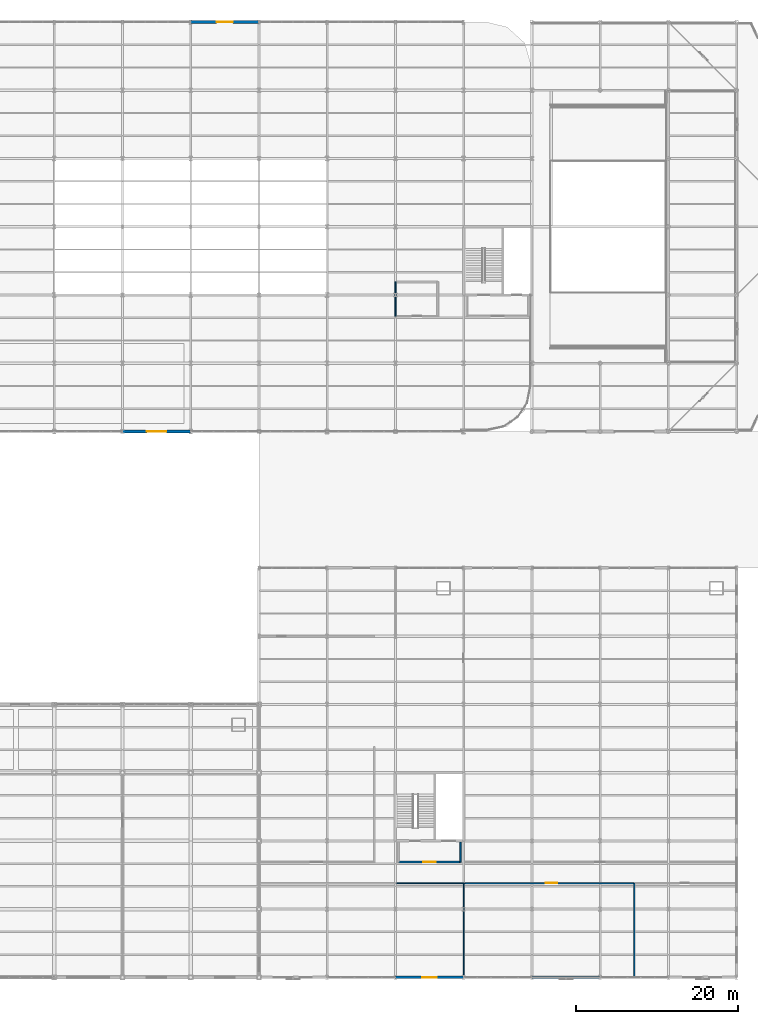
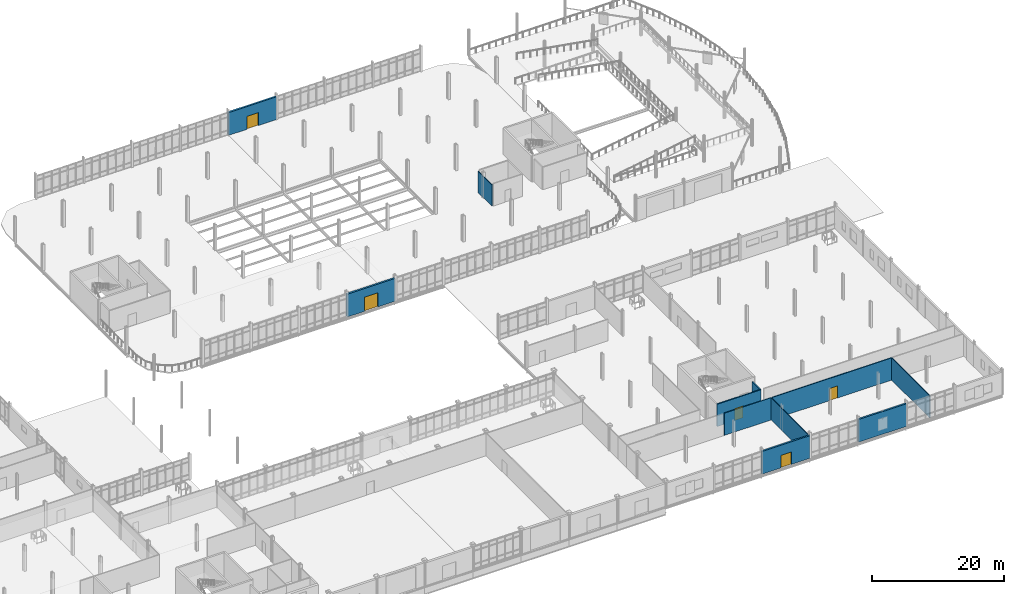
# One storey, part 128 of 145: 11 walls, 5 doors, 5 openings.
"""IFC4 building model written with IfcOpenShell, lengths in metres."""

from ifc_helpers import new_model, si_unit, direction, frame, frame_2d, origin, place, context, subcontext, project, spatial, rectangle, extrude, material, layer, layer_set, type_object, element, fill, save


model = new_model("IFC4")

# Units and contexts
model_context = context("Model", 3, precision=1e-05, world=origin(), true_north=direction((0.0, 1.0)))
body_context = subcontext(model_context, "Body", "Model", "MODEL_VIEW")
ifc_project = project(units=[si_unit("LENGTHUNIT", "METRE"), si_unit("AREAUNIT", "SQUARE_METRE"), si_unit("VOLUMEUNIT", "CUBIC_METRE"), si_unit("PLANEANGLEUNIT", "RADIAN"), si_unit("MASSUNIT", "GRAM", prefix="KILO")], contexts=[model_context])

# Site, building, storey
site_placement = place(None, origin())
site = spatial("IfcSite", under=ifc_project, at=site_placement, CompositionType="ELEMENT")
building_placement = place(site_placement, origin())
building = spatial("IfcBuilding", under=site, at=building_placement, Name="Qalvenar Corner Mobility Hub", CompositionType="ELEMENT")
storey_placement = place(building_placement, origin())
storey = spatial("IfcBuildingStorey", under=building, at=storey_placement, Name="L00", CompositionType="ELEMENT", Elevation=0.0)

# Wall, opening, door
ifc_material_1 = material(Name="Lahori Fired Clay Brick Masonry", Category="masonry")
ifc_layer_1 = layer(ifc_material_1, 0.300048828125)
ifc_layer_set_1 = layer_set([ifc_layer_1], Name="Lahori Fired Clay Brick Masonry")
wall_type_1 = type_object("IfcWallType", Name="WL-EXT-BRK300", PredefinedType="STANDARD", material=ifc_layer_set_1)
wall_1_placement = place(storey_placement, frame((126.0, 0.0, 0.0), z_axis=(0.0, 0.0, 1.0), x_axis=(1.0, 0.0, 0.0)))
wall_1 = element("IfcWall", 1, at=wall_1_placement, inside=storey, type_object=wall_type_1, Name="Exterior Facade Wall EW-V6-L00-S2", PredefinedType="STANDARD", context=body_context, shape_type="SweptSolid", body=[
    extrude(rectangle(XDim=8.39990234375, YDim=0.300048828125, at=frame_2d((4.199951171875, 0.0))), origin(), (0.0, 0.0, 1.0), 4.179931640625),
])
opening_1_placement = place(wall_1_placement, frame((3.300048828125, 0.0, 0.0)))
opening_1 = element("IfcOpeningElement", 2, at=opening_1_placement, cuts=wall_1, Name="Opening DR-061", PredefinedType="OPENING", context=body_context, shape_type="SweptSolid", body=[
    extrude(rectangle(XDim=1.800048828125, YDim=2.300048828125, at=frame_2d((0.89990234375, 1.14990234375))), frame((0.0, 0.16015625, 0.0), z_axis=(0.0, -1.0, 0.0), x_axis=(1.0, 0.0, 0.0)), (0.0, 0.0, 1.0), 0.320068359375),
])
ifc_material_2 = material(Name="Insulated Steel Pedestrian Exit Door", Category="steel")
door_type_1 = type_object("IfcDoorType", Name="DR-EXT-ESC180", OperationType="DOUBLE_DOOR_SINGLE_SWING", PredefinedType="DOOR", material=ifc_material_2)
door_1_placement = place(opening_1_placement, origin())
door_1 = element("IfcDoor", 3, at=door_1_placement, inside=storey, type_object=door_type_1, Name="DR-061 Workshop South Pedestrian Exit Door E11", OperationType="DOUBLE_DOOR_SINGLE_SWING", OverallHeight=2.300048828125, OverallWidth=1.800048828125, PredefinedType="DOOR", context=body_context, shape_type="SweptSolid", body=[
    extrude(rectangle(XDim=1.800048828125, YDim=2.300048828125, at=frame_2d((0.89990234375, 1.14990234375))), frame((0.0, 0.02490234375, 0.0), z_axis=(0.0, -1.0, 0.0), x_axis=(1.0, 0.0, 0.0)), (0.0, 0.0, 1.0), 0.050048828125),
])
fill(opening_1, door_1)

# Wall
wall_2_placement = place(storey_placement, frame((142.800048828125, 0.0, 0.0), z_axis=(0.0, 0.0, 1.0), x_axis=(1.0, 0.0, 0.0)))
element("IfcWall", 4, at=wall_2_placement, inside=storey, type_object=wall_type_1, Name="Exterior Facade Wall EW-V6-L00-S4", PredefinedType="STANDARD", context=body_context, shape_type="SweptSolid", body=[
    extrude(rectangle(XDim=8.39990234375, YDim=0.300048828125, at=frame_2d((4.199951171875, 0.0))), origin(), (0.0, 0.0, 1.0), 4.179931640625),
])

# Wall, opening, door
ifc_material_3 = material(Name="Red Sandstone Ashlar Masonry", Category="masonry")
ifc_layer_2 = layer(ifc_material_3, 0.320068359375)
ifc_layer_set_2 = layer_set([ifc_layer_2], Name="Red Sandstone Ashlar Masonry")
wall_type_2 = type_object("IfcWallType", Name="WL-EXT-SAND320", PredefinedType="STANDARD", material=ifc_layer_set_2)
wall_3_placement = place(storey_placement, frame((92.39990234375, 67.199951171875, 0.0), z_axis=(0.0, 0.0, 1.0), x_axis=(1.0, 0.0, 0.0)))
wall_3 = element("IfcWall", 5, at=wall_3_placement, inside=storey, type_object=wall_type_2, Name="Exterior Facade Wall EW-V4-L00-S4", PredefinedType="STANDARD", context=body_context, shape_type="SweptSolid", body=[
    extrude(rectangle(XDim=8.400146484375, YDim=0.320068359375, at=frame_2d((4.2001953125, 0.0))), origin(), (0.0, 0.0, 1.0), 4.199951171875),
])
opening_2_placement = place(wall_3_placement, frame((3.0, 0.0, 0.0)))
opening_2 = element("IfcOpeningElement", 6, at=opening_2_placement, cuts=wall_3, Name="Opening DR-057", PredefinedType="OPENING", context=body_context, shape_type="SweptSolid", body=[
    extrude(rectangle(XDim=2.39990234375, YDim=2.60009765625, at=frame_2d((1.199951171875, 1.300048828125))), frame((0.0, 0.169921875, 0.0), z_axis=(0.0, -1.0, 0.0), x_axis=(1.0, 0.0, 0.0)), (0.0, 0.0, 1.0), 0.340087890625),
])
ifc_material_4 = material(Name="Bronze-Framed Glazed Entrance Door", Category="aluminium")
door_type_2 = type_object("IfcDoorType", Name="DR-EXT-DBL240", OperationType="DOUBLE_DOOR_SINGLE_SWING", PredefinedType="DOOR", material=ifc_material_4)
door_2_placement = place(opening_2_placement, origin())
door_2 = element("IfcDoor", 7, at=door_2_placement, inside=storey, type_object=door_type_2, Name="DR-057 Mobility Hall Courtyard Exit Door E8", OperationType="DOUBLE_DOOR_SINGLE_SWING", OverallHeight=2.60009765625, OverallWidth=2.39990234375, PredefinedType="DOOR", context=body_context, shape_type="SweptSolid", body=[
    extrude(rectangle(XDim=2.39990234375, YDim=2.60009765625, at=frame_2d((1.199951171875, 1.300048828125))), frame((0.0, 0.02490234375, 0.0), z_axis=(0.0, -1.0, 0.0), x_axis=(1.0, 0.0, 0.0)), (0.0, 0.0, 1.0), 0.050048828125),
])
fill(opening_2, door_2)

wall_4_placement = place(storey_placement, frame((109.199951171875, 117.60009765625, 0.0), z_axis=(0.0, 0.0, 1.0), x_axis=(-1.0, 0.0, 0.0)))
wall_4 = element("IfcWall", 8, at=wall_4_placement, inside=storey, type_object=wall_type_2, Name="Exterior Facade Wall EW-V4-L00-N5", PredefinedType="STANDARD", context=body_context, shape_type="SweptSolid", body=[
    extrude(rectangle(XDim=8.39990234375, YDim=0.320068359375, at=frame_2d((4.199951171875, 0.0))), origin(), (0.0, 0.0, 1.0), 4.199951171875),
])
opening_3_placement = place(wall_4_placement, frame((3.199951171875, 0.0, 0.0)))
opening_3 = element("IfcOpeningElement", 9, at=opening_3_placement, cuts=wall_4, Name="Opening DR-058", PredefinedType="OPENING", context=body_context, shape_type="SweptSolid", body=[
    extrude(rectangle(XDim=2.0, YDim=2.39990234375, at=frame_2d((1.0, 1.199951171875))), frame((0.0, 0.169921875, 0.0), z_axis=(0.0, -1.0, 0.0), x_axis=(1.0, 0.0, 0.0)), (0.0, 0.0, 1.0), 0.340087890625),
])
ifc_material_5 = material(Name="Bronze-Framed Glazed Exit Door", Category="aluminium")
door_type_3 = type_object("IfcDoorType", Name="DR-EXT-DBL200", OperationType="DOUBLE_DOOR_SINGLE_SWING", PredefinedType="DOOR", material=ifc_material_5)
door_3_placement = place(opening_3_placement, origin())
door_3 = element("IfcDoor", 10, at=door_3_placement, inside=storey, type_object=door_type_3, Name="DR-058 Mobility Hall North Exit Door E9", OperationType="DOUBLE_DOOR_SINGLE_SWING", OverallHeight=2.39990234375, OverallWidth=2.0, PredefinedType="DOOR", context=body_context, shape_type="SweptSolid", body=[
    extrude(rectangle(XDim=2.0, YDim=2.39990234375, at=frame_2d((1.0, 1.199951171875))), frame((0.0, 0.02490234375, 0.0), z_axis=(0.0, -1.0, 0.0), x_axis=(1.0, 0.0, 0.0)), (0.0, 0.0, 1.0), 0.050048828125),
])
fill(opening_3, door_3)

# Walls
ifc_material_6 = material(Name="Acoustic Gypsum Stud Partition", Category="masonry")
ifc_layer_3 = layer(ifc_material_6, 0.139892578125)
ifc_layer_set_3 = layer_set([ifc_layer_3], Name="Acoustic Gypsum Stud Partition")
wall_type_3 = type_object("IfcWallType", Name="WL-INT140", PredefinedType="PARTITIONING", material=ifc_layer_set_3)
wall_5_placement = place(storey_placement, frame((126.14990234375, 11.60009765625, 0.0), z_axis=(0.0, 0.0, 1.0), x_axis=(1.0, 0.0, 0.0)))
element("IfcWall", 11, at=wall_5_placement, inside=storey, type_object=wall_type_3, Name="Interior Partition PRT-L00-008", PredefinedType="PARTITIONING", context=body_context, shape_type="SweptSolid", body=[
    extrude(rectangle(XDim=8.25, YDim=0.139892578125, at=frame_2d((4.125, 0.0))), origin(), (0.0, 0.0, 1.0), 4.10009765625),
])
wall_6_placement = place(storey_placement, frame((134.39990234375, 0.155029296875, 0.0), z_axis=(0.0, 0.0, 1.0), x_axis=(0.0, 1.0, 0.0)))
element("IfcWall", 12, at=wall_6_placement, inside=storey, type_object=wall_type_3, Name="Interior Partition PRT-L00-062", PredefinedType="PARTITIONING", context=body_context, shape_type="SweptSolid", body=[
    extrude(rectangle(XDim=11.445068359375, YDim=0.139892578125, at=frame_2d((5.72265625, 0.0))), origin(), (0.0, 0.0, 1.0), 4.050048828125),
])
wall_7_placement = place(storey_placement, frame((155.39990234375, 0.044921875, 0.0), z_axis=(0.0, 0.0, 1.0), x_axis=(0.0, 1.0, 0.0)))
element("IfcWall", 13, at=wall_7_placement, inside=storey, type_object=wall_type_3, Name="Interior Partition PRT-L00-064", PredefinedType="PARTITIONING", context=body_context, shape_type="SweptSolid", body=[
    extrude(rectangle(XDim=11.55517578125, YDim=0.139892578125, at=frame_2d((5.777587890625, 0.0))), origin(), (0.0, 0.0, 1.0), 4.10009765625),
])

# Wall, opening, door
ifc_material_7 = material(Name="Plastered Clay Brick Partition", Category="masonry")
ifc_layer_4 = layer(ifc_material_7, 0.159912109375)
ifc_layer_set_4 = layer_set([ifc_layer_4], Name="Plastered Clay Brick Partition")
wall_type_4 = type_object("IfcWallType", Name="WL-INT160", PredefinedType="PARTITIONING", material=ifc_layer_set_4)
wall_8_placement = place(storey_placement, frame((134.550048828125, 11.60009765625, 0.0), z_axis=(0.0, 0.0, 1.0), x_axis=(1.0, 0.0, 0.0)))
wall_8 = element("IfcWall", 14, at=wall_8_placement, inside=storey, type_object=wall_type_4, Name="Interior Partition PRT-L00-009", PredefinedType="PARTITIONING", context=body_context, shape_type="SweptSolid", body=[
    extrude(rectangle(XDim=20.849853515625, YDim=0.159912109375, at=frame_2d((10.4248046875, 0.0))), origin(), (0.0, 0.0, 1.0), 4.10009765625),
])
opening_4_placement = place(wall_8_placement, frame((9.969970703125, 0.0, 0.0)))
opening_4 = element("IfcOpeningElement", 15, at=opening_4_placement, cuts=wall_8, Name="Opening DR-090", PredefinedType="OPENING", context=body_context, shape_type="SweptSolid", body=[
    extrude(rectangle(XDim=1.39990234375, YDim=2.25, at=frame_2d((0.699951171875, 1.125))), frame((0.0, 0.08984375, 0.0), z_axis=(0.0, -1.0, 0.0), x_axis=(1.0, 0.0, 0.0)), (0.0, 0.0, 1.0), 0.179931640625),
])
ifc_material_8 = material(Name="Hardwood Teak Acoustic Double Door", Category="wood")
door_type_4 = type_object("IfcDoorType", Name="DR-INT-PUB140", OperationType="DOUBLE_DOOR_SINGLE_SWING", PredefinedType="DOOR", material=ifc_material_8)
door_4_placement = place(opening_4_placement, origin())
door_4 = element("IfcDoor", 16, at=door_4_placement, inside=storey, type_object=door_type_4, Name="DR-090 Electric Bus Diagnostic and Alignment Ba Door", OperationType="DOUBLE_DOOR_SINGLE_SWING", OverallHeight=2.25, OverallWidth=1.39990234375, PredefinedType="DOOR", context=body_context, shape_type="SweptSolid", body=[
    extrude(rectangle(XDim=1.39990234375, YDim=2.25, at=frame_2d((0.699951171875, 1.125))), frame((0.0, 0.02490234375, 0.0), z_axis=(0.0, -1.0, 0.0), x_axis=(1.0, 0.0, 0.0)), (0.0, 0.0, 1.0), 0.050048828125),
])
fill(opening_4, door_4)

# Wall
ifc_material_9 = material(Name="Concrete Blockwork Masonry", Category="masonry")
ifc_layer_5 = layer(ifc_material_9, 0.199951171875)
ifc_layer_set_5 = layer_set([ifc_layer_5], Name="Concrete Blockwork Masonry")
wall_type_5 = type_object("IfcWallType", Name="WL-LOBBY200", PredefinedType="PARTITIONING", material=ifc_layer_set_5)
wall_9_placement = place(storey_placement, frame((134.0, 14.199951171875, 0.0), z_axis=(0.0, 0.0, 1.0), x_axis=(0.0, 1.0, 0.0)))
element("IfcWall", 17, at=wall_9_placement, inside=storey, type_object=wall_type_5, Name="Interior Partition WL-LOB-C6-L00-E", PredefinedType="PARTITIONING", context=body_context, shape_type="SweptSolid", body=[
    extrude(rectangle(XDim=2.449951171875, YDim=0.199951171875, at=frame_2d((1.22509765625, 0.0))), origin(), (0.0, 0.0, 1.0), 4.1201171875),
])

# Wall, opening, door
wall_10_placement = place(storey_placement, frame((126.39990234375, 14.199951171875, 0.0), z_axis=(0.0, 0.0, 1.0), x_axis=(1.0, 0.0, 0.0)))
wall_10 = element("IfcWall", 18, at=wall_10_placement, inside=storey, type_object=wall_type_5, Name="Interior Partition WL-LOB-C6-L00-S", PredefinedType="PARTITIONING", context=body_context, shape_type="SweptSolid", body=[
    extrude(rectangle(XDim=7.60009765625, YDim=0.199951171875, at=frame_2d((3.800048828125, 0.0))), origin(), (0.0, 0.0, 1.0), 4.1201171875),
])
opening_5_placement = place(wall_10_placement, frame((3.050048828125, 0.0, 0.0)))
opening_5 = element("IfcOpeningElement", 19, at=opening_5_placement, cuts=wall_10, Name="Opening DR-086", PredefinedType="OPENING", context=body_context, shape_type="SweptSolid", body=[
    extrude(rectangle(XDim=1.5, YDim=2.199951171875, at=frame_2d((0.75, 1.10009765625))), frame((0.0, 0.10986328125, 0.0), z_axis=(0.0, -1.0, 0.0), x_axis=(1.0, 0.0, 0.0)), (0.0, 0.0, 1.0), 0.219970703125),
])
ifc_material_10 = material(Name="Firefighting Lobby Smoke-Control Door FD60", Category="steel")
door_type_5 = type_object("IfcDoorType", Name="DR-FFLOB-150", OperationType="DOUBLE_DOOR_SINGLE_SWING", PredefinedType="DOOR", material=ifc_material_10)
door_5_placement = place(opening_5_placement, origin())
door_5 = element("IfcDoor", 20, at=door_5_placement, inside=storey, type_object=door_type_5, Name="DR-086 Lift Lobby Smoke Door C6-L00", OperationType="DOUBLE_DOOR_SINGLE_SWING", OverallHeight=2.199951171875, OverallWidth=1.5, PredefinedType="DOOR", context=body_context, shape_type="SweptSolid", body=[
    extrude(rectangle(XDim=1.5, YDim=2.199951171875, at=frame_2d((0.75, 1.10009765625))), frame((0.0, 0.02490234375, 0.0), z_axis=(0.0, -1.0, 0.0), x_axis=(1.0, 0.0, 0.0)), (0.0, 0.0, 1.0), 0.050048828125),
])
fill(opening_5, door_5)

# Wall
ifc_material_11 = material(Name="Ceramic-Tiled Moisture-Resistant Partition", Category="masonry")
ifc_layer_6 = layer(ifc_material_11, 0.14990234375)
ifc_layer_set_6 = layer_set([ifc_layer_6], Name="Ceramic-Tiled Moisture-Resistant Partition")
wall_type_6 = type_object("IfcWallType", Name="WL-WET150", PredefinedType="PARTITIONING", material=ifc_layer_set_6)
wall_11_placement = place(storey_placement, frame((126.0, 81.39990234375, 0.0), z_axis=(0.0, 0.0, 1.0), x_axis=(0.0, 1.0, 0.0)))
element("IfcWall", 21, at=wall_11_placement, inside=storey, type_object=wall_type_6, Name="Interior Partition PRT-L00-060", PredefinedType="PARTITIONING", context=body_context, shape_type="SweptSolid", body=[
    extrude(rectangle(XDim=4.2001953125, YDim=0.14990234375, at=frame_2d((2.10009765625, 0.0))), origin(), (0.0, 0.0, 1.0), 3.929931640625),
])

save(model, "model.ifc")
